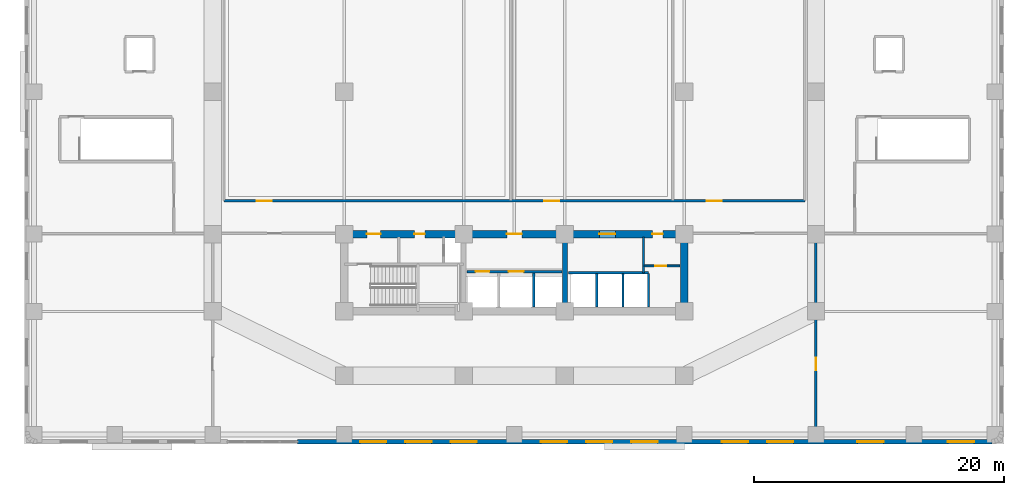
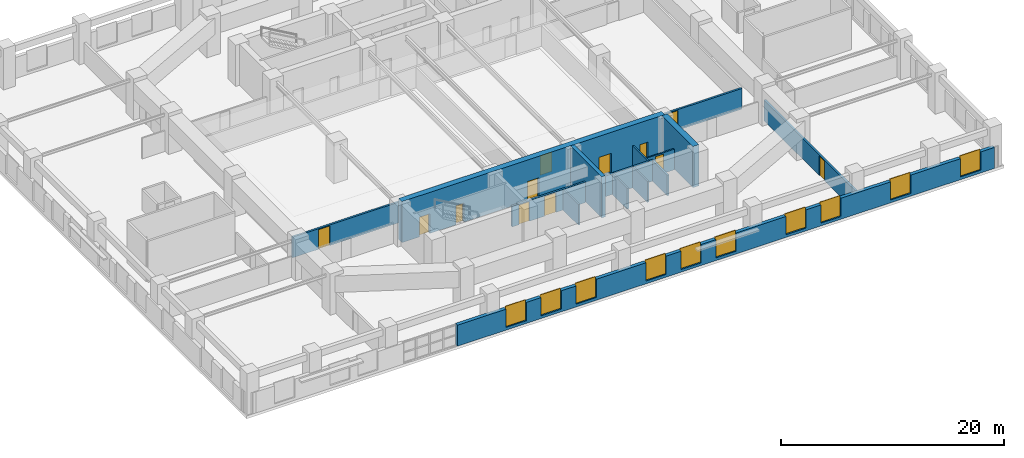
# One storey, part 7 of 13: 14 walls, 12 doors, 10 windows, 22 openings.
"""IFC4 building model written with IfcOpenShell, lengths in metres."""

from ifc_helpers import new_model, si_unit, direction, frame, frame_2d, origin, place, context, subcontext, project, spatial, rectangle, extrude, material, layer, layer_set, type_object, element, fill, save


model = new_model("IFC4")

# Units and contexts
model_context = context("Model", 3, precision=1e-05, world=origin(), true_north=direction((0.0, 1.0)))
body_context = subcontext(model_context, "Body", "Model", "MODEL_VIEW")
ifc_project = project(units=[si_unit("LENGTHUNIT", "METRE"), si_unit("AREAUNIT", "SQUARE_METRE"), si_unit("VOLUMEUNIT", "CUBIC_METRE"), si_unit("PLANEANGLEUNIT", "RADIAN"), si_unit("MASSUNIT", "GRAM", prefix="KILO")], contexts=[model_context])

# Site, building, storey
site_placement = place(None, origin())
site = spatial("IfcSite", under=ifc_project, at=site_placement, CompositionType="ELEMENT")
building_placement = place(site_placement, origin())
building = spatial("IfcBuilding", under=site, at=building_placement, Name="Svetorya Sky Lyceum", CompositionType="ELEMENT")
storey_placement = place(building_placement, frame((0.0, 0.0, 20.10009765625)))
storey = spatial("IfcBuildingStorey", under=building, at=storey_placement, Name="L04", CompositionType="ELEMENT", Elevation=20.10009765625)

# Walls
ifc_material_1 = material(Name="Concrete C40/50", Category="concrete")
ifc_layer_1 = layer(ifc_material_1, 0.39990234375)
ifc_layer_set_1 = layer_set([ifc_layer_1], Name="Concrete C40/50")
wall_type_1 = type_object("IfcWallType", Name="WL-CORE-400", PredefinedType="SHEAR", material=ifc_layer_set_1)
wall_1_placement = place(storey_placement, frame((43.25, 10.89990234375, 0.0), z_axis=(0.0, 0.0, 1.0), x_axis=(0.0, 1.0, 0.0)))
element("IfcWall", 1, at=wall_1_placement, inside=storey, type_object=wall_type_1, Name="L04 SC Internal Shear Web WEB2", PredefinedType="SHEAR", context=body_context, shape_type="SweptSolid", body=[
    extrude(rectangle(XDim=5.60009765625, YDim=0.39990234375, at=frame_2d((2.800048828125, 0.0))), origin(), (0.0, 0.0, 1.0), 4.5),
])
ifc_material_2 = material(Name="Concrete C60/75", Category="concrete")
ifc_layer_2 = layer(ifc_material_2, 0.60009765625)
ifc_layer_set_2 = layer_set([ifc_layer_2], Name="Concrete C60/75")
wall_type_2 = type_object("IfcWallType", Name="WL-CORE-600", PredefinedType="SHEAR", material=ifc_layer_set_2)
wall_2_placement = place(storey_placement, frame((52.800048828125, 10.89990234375, 0.0), z_axis=(0.0, 0.0, 1.0), x_axis=(0.0, 1.0, 0.0)))
element("IfcWall", 2, at=wall_2_placement, inside=storey, type_object=wall_type_2, Name="L04 SC East Core Shear Wall", PredefinedType="SHEAR", context=body_context, shape_type="SweptSolid", body=[
    extrude(rectangle(XDim=5.60009765625, YDim=0.60009765625, at=frame_2d((2.800048828125, 0.0))), origin(), (0.0, 0.0, 1.0), 4.5),
])

# Wall, openings, doors
wall_3_placement = place(storey_placement, frame((25.60009765625, 16.800048828125, 0.0), z_axis=(0.0, 0.0, 1.0), x_axis=(1.0, 0.0, 0.0)))
wall_3 = element("IfcWall", 3, at=wall_3_placement, inside=storey, type_object=wall_type_2, Name="L04 SC Inner Core Shear Wall", PredefinedType="SHEAR", context=body_context, shape_type="SweptSolid", body=[
    extrude(rectangle(XDim=27.199951171875, YDim=0.60009765625, at=frame_2d((13.60009765625, 0.0))), origin(), (0.0, 0.0, 1.0), 4.5),
])
opening_1_placement = place(wall_3_placement, frame((1.800048828125, 0.0, 0.0)))
opening_1 = element("IfcOpeningElement", 4, at=opening_1_placement, cuts=wall_3, Name="Opening D-ST1", PredefinedType="OPENING", context=body_context, shape_type="SweptSolid", body=[
    extrude(rectangle(XDim=1.10009765625, YDim=2.14990234375, at=frame_2d((0.550048828125, 1.074951171875))), frame((0.0, 0.31005859375, 0.0), z_axis=(0.0, -1.0, 0.0), x_axis=(1.0, 0.0, 0.0)), (0.0, 0.0, 1.0), 0.6201171875),
])
opening_2_placement = place(wall_3_placement, frame((5.60009765625, 0.0, 0.0)))
opening_2 = element("IfcOpeningElement", 5, at=opening_2_placement, cuts=wall_3, Name="Opening D-CWC1", PredefinedType="OPENING", context=body_context, shape_type="SweptSolid", body=[
    extrude(rectangle(XDim=0.85009765625, YDim=2.10009765625, at=frame_2d((0.425048828125, 1.050048828125))), frame((0.0, 0.31005859375, 0.0), z_axis=(0.0, -1.0, 0.0), x_axis=(1.0, 0.0, 0.0)), (0.0, 0.0, 1.0), 0.6201171875),
])
opening_3_placement = place(wall_3_placement, frame((13.0, 0.0, 0.0)))
opening_3 = element("IfcOpeningElement", 6, at=opening_3_placement, cuts=wall_3, Name="Opening D-FL1", PredefinedType="OPENING", context=body_context, shape_type="SweptSolid", body=[
    extrude(rectangle(XDim=1.199951171875, YDim=2.14990234375, at=frame_2d((0.60009765625, 1.074951171875))), frame((0.0, 0.31005859375, 0.0), z_axis=(0.0, -1.0, 0.0), x_axis=(1.0, 0.0, 0.0)), (0.0, 0.0, 1.0), 0.6201171875),
])
opening_4_placement = place(wall_3_placement, frame((20.39990234375, 0.0, 0.0)))
opening_4 = element("IfcOpeningElement", 7, at=opening_4_placement, cuts=wall_3, Name="Opening D-LB1", PredefinedType="OPENING", context=body_context, shape_type="SweptSolid", body=[
    extrude(rectangle(XDim=1.300048828125, YDim=2.199951171875, at=frame_2d((0.64990234375, 1.10009765625))), frame((0.0, 0.31005859375, 0.0), z_axis=(0.0, -1.0, 0.0), x_axis=(1.0, 0.0, 0.0)), (0.0, 0.0, 1.0), 0.6201171875),
])
opening_5_placement = place(wall_3_placement, frame((24.64990234375, 0.0, 0.0)))
opening_5 = element("IfcOpeningElement", 8, at=opening_5_placement, cuts=wall_3, Name="Opening D-CWC1", PredefinedType="OPENING", context=body_context, shape_type="SweptSolid", body=[
    extrude(rectangle(XDim=0.85009765625, YDim=2.10009765625, at=frame_2d((0.425048828125, 1.050048828125))), frame((0.0, 0.31005859375, 0.0), z_axis=(0.0, -1.0, 0.0), x_axis=(1.0, 0.0, 0.0)), (0.0, 0.0, 1.0), 0.6201171875),
])
ifc_material_3 = material(Name="Fire-rated galvanized steel core service closet door", Category="steel")
door_type_1 = type_object("IfcDoorType", Name="DR-CWET-850", OperationType="SINGLE_SWING_LEFT", PredefinedType="DOOR", material=ifc_material_3)
door_1_placement = place(opening_2_placement, origin())
door_1 = element("IfcDoor", 9, at=door_1_placement, inside=storey, type_object=door_type_1, Name="L04 South Hydrant Room Door", OperationType="SINGLE_SWING_LEFT", OverallHeight=2.10009765625, OverallWidth=0.85009765625, PredefinedType="DOOR", context=body_context, shape_type="SweptSolid", body=[
    extrude(rectangle(XDim=0.85009765625, YDim=2.10009765625, at=frame_2d((0.425048828125, 1.050048828125))), frame((0.0, 0.02490234375, 0.0), z_axis=(0.0, -1.0, 0.0), x_axis=(1.0, 0.0, 0.0)), (0.0, 0.0, 1.0), 0.050048828125),
])
fill(opening_2, door_1)
door_2_placement = place(opening_5_placement, origin())
door_2 = element("IfcDoor", 10, at=door_2_placement, inside=storey, type_object=door_type_1, Name="L04 South Core Auxiliary Door", OperationType="SINGLE_SWING_LEFT", OverallHeight=2.10009765625, OverallWidth=0.85009765625, PredefinedType="DOOR", context=body_context, shape_type="SweptSolid", body=[
    extrude(rectangle(XDim=0.85009765625, YDim=2.10009765625, at=frame_2d((0.425048828125, 1.050048828125))), frame((0.0, 0.02490234375, 0.0), z_axis=(0.0, -1.0, 0.0), x_axis=(1.0, 0.0, 0.0)), (0.0, 0.0, 1.0), 0.050048828125),
])
fill(opening_5, door_2)
ifc_material_4 = material(Name="Powder-coated insulated galvanized stair fire door")
door_type_2 = type_object("IfcDoorType", Name="DR-FIRE-1100", OperationType="SINGLE_SWING_LEFT", PredefinedType="DOOR", material=ifc_material_4)
door_3_placement = place(opening_1_placement, origin())
door_3 = element("IfcDoor", 11, at=door_3_placement, inside=storey, type_object=door_type_2, Name="L04 South Stair Airlock Door", OperationType="SINGLE_SWING_RIGHT", OverallHeight=2.14990234375, OverallWidth=1.10009765625, PredefinedType="DOOR", context=body_context, shape_type="SweptSolid", body=[
    extrude(rectangle(XDim=1.10009765625, YDim=2.14990234375, at=frame_2d((0.550048828125, 1.074951171875))), frame((0.0, 0.02490234375, 0.0), z_axis=(0.0, -1.0, 0.0), x_axis=(1.0, 0.0, 0.0)), (0.0, 0.0, 1.0), 0.050048828125),
])
fill(opening_1, door_3)
ifc_material_5 = material(Name="Powder-coated insulated galvanized fire door")
door_type_3 = type_object("IfcDoorType", Name="DR-FIRE-1200", OperationType="SINGLE_SWING_LEFT", PredefinedType="DOOR", material=ifc_material_5)
door_4_placement = place(opening_3_placement, origin())
door_4 = element("IfcDoor", 12, at=door_4_placement, inside=storey, type_object=door_type_3, Name="L04 South Firefighting Lift Lobby Door", OperationType="SINGLE_SWING_LEFT", OverallHeight=2.14990234375, OverallWidth=1.199951171875, PredefinedType="DOOR", context=body_context, shape_type="SweptSolid", body=[
    extrude(rectangle(XDim=1.199951171875, YDim=2.14990234375, at=frame_2d((0.60009765625, 1.074951171875))), frame((0.0, 0.02490234375, 0.0), z_axis=(0.0, -1.0, 0.0), x_axis=(1.0, 0.0, 0.0)), (0.0, 0.0, 1.0), 0.050048828125),
])
fill(opening_3, door_4)
ifc_material_6 = material(Name="Glazed fire-rated aluminium lobby door", Category="aluminium")
door_type_4 = type_object("IfcDoorType", Name="DR-LOB-1300", OperationType="SINGLE_SWING_LEFT", PredefinedType="DOOR", material=ifc_material_6)
door_5_placement = place(opening_4_placement, origin())
door_5 = element("IfcDoor", 13, at=door_5_placement, inside=storey, type_object=door_type_4, Name="L04 Low-Rise Lift Lobby Door", OperationType="SINGLE_SWING_RIGHT", OverallHeight=2.199951171875, OverallWidth=1.300048828125, PredefinedType="DOOR", context=body_context, shape_type="SweptSolid", body=[
    extrude(rectangle(XDim=1.300048828125, YDim=2.199951171875, at=frame_2d((0.64990234375, 1.10009765625))), frame((0.0, 0.02490234375, 0.0), z_axis=(0.0, -1.0, 0.0), x_axis=(1.0, 0.0, 0.0)), (0.0, 0.0, 1.0), 0.050048828125),
])
fill(opening_4, door_5)

# Wall, openings, windows
ifc_material_7 = material(Name="Putilovo limestone rainscreen on autoclaved cellular masonry", Category="masonry")
ifc_layer_3 = layer(ifc_material_7, 0.360107421875)
ifc_layer_set_3 = layer_set([ifc_layer_3], Name="Putilovo limestone rainscreen on autoclaved cellular masonry")
wall_type_3 = type_object("IfcWallType", Name="WL-EXT-360", PredefinedType="SOLIDWALL", material=ifc_layer_set_3)
wall_4_placement = place(storey_placement, frame((21.830078125, 0.179931640625, 0.0), z_axis=(0.0, 0.0, 1.0), x_axis=(1.0, 0.0, 0.0)))
wall_4 = element("IfcWall", 14, at=wall_4_placement, inside=storey, type_object=wall_type_3, Name="L04 Limestone Exterior Wall 6B", PredefinedType="SOLIDWALL", context=body_context, shape_type="SweptSolid", body=[
    extrude(rectangle(XDim=55.58984375, YDim=0.360107421875, at=frame_2d((27.794921875, 0.0))), origin(), (0.0, 0.0, 1.0), 2.2998046875),
])
opening_6_placement = place(wall_4_placement, frame((5.029052734375, 0.0, 0.300048828125)))
opening_6 = element("IfcOpeningElement", 15, at=opening_6_placement, cuts=wall_4, Name="Opening W-S3", PredefinedType="OPENING", context=body_context, shape_type="SweptSolid", body=[
    extrude(rectangle(XDim=2.10009765625, YDim=2.199951171875, at=frame_2d((1.050048828125, 1.10009765625))), frame((0.0, 0.18994140625, 0.0), z_axis=(0.0, -1.0, 0.0), x_axis=(1.0, 0.0, 0.0)), (0.0, 0.0, 1.0), 0.380126953125),
])
opening_7_placement = place(wall_4_placement, frame((8.648193359375, 0.0, 0.300048828125)))
opening_7 = element("IfcOpeningElement", 16, at=opening_7_placement, cuts=wall_4, Name="Opening W-S3", PredefinedType="OPENING", context=body_context, shape_type="SweptSolid", body=[
    extrude(rectangle(XDim=2.10009765625, YDim=2.199951171875, at=frame_2d((1.050048828125, 1.10009765625))), frame((0.0, 0.18994140625, 0.0), z_axis=(0.0, -1.0, 0.0), x_axis=(1.0, 0.0, 0.0)), (0.0, 0.0, 1.0), 0.380126953125),
])
opening_8_placement = place(wall_4_placement, frame((12.267578125, 0.0, 0.300048828125)))
opening_8 = element("IfcOpeningElement", 17, at=opening_8_placement, cuts=wall_4, Name="Opening W-S3", PredefinedType="OPENING", context=body_context, shape_type="SweptSolid", body=[
    extrude(rectangle(XDim=2.10009765625, YDim=2.199951171875, at=frame_2d((1.050048828125, 1.10009765625))), frame((0.0, 0.18994140625, 0.0), z_axis=(0.0, -1.0, 0.0), x_axis=(1.0, 0.0, 0.0)), (0.0, 0.0, 1.0), 0.380126953125),
])
opening_9_placement = place(wall_4_placement, frame((19.50634765625, 0.0, 0.300048828125)))
opening_9 = element("IfcOpeningElement", 18, at=opening_9_placement, cuts=wall_4, Name="Opening W-S3", PredefinedType="OPENING", context=body_context, shape_type="SweptSolid", body=[
    extrude(rectangle(XDim=2.10009765625, YDim=2.199951171875, at=frame_2d((1.050048828125, 1.10009765625))), frame((0.0, 0.18994140625, 0.0), z_axis=(0.0, -1.0, 0.0), x_axis=(1.0, 0.0, 0.0)), (0.0, 0.0, 1.0), 0.380126953125),
])
opening_10_placement = place(wall_4_placement, frame((23.125732421875, 0.0, 0.300048828125)))
opening_10 = element("IfcOpeningElement", 19, at=opening_10_placement, cuts=wall_4, Name="Opening W-S3", PredefinedType="OPENING", context=body_context, shape_type="SweptSolid", body=[
    extrude(rectangle(XDim=2.10009765625, YDim=2.199951171875, at=frame_2d((1.050048828125, 1.10009765625))), frame((0.0, 0.18994140625, 0.0), z_axis=(0.0, -1.0, 0.0), x_axis=(1.0, 0.0, 0.0)), (0.0, 0.0, 1.0), 0.380126953125),
])
opening_11_placement = place(wall_4_placement, frame((26.7451171875, 0.0, 0.300048828125)))
opening_11 = element("IfcOpeningElement", 20, at=opening_11_placement, cuts=wall_4, Name="Opening W-S3", PredefinedType="OPENING", context=body_context, shape_type="SweptSolid", body=[
    extrude(rectangle(XDim=2.10009765625, YDim=2.199951171875, at=frame_2d((1.050048828125, 1.10009765625))), frame((0.0, 0.18994140625, 0.0), z_axis=(0.0, -1.0, 0.0), x_axis=(1.0, 0.0, 0.0)), (0.0, 0.0, 1.0), 0.380126953125),
])
opening_12_placement = place(wall_4_placement, frame((33.983642578125, 0.0, 0.300048828125)))
opening_12 = element("IfcOpeningElement", 21, at=opening_12_placement, cuts=wall_4, Name="Opening W-S3", PredefinedType="OPENING", context=body_context, shape_type="SweptSolid", body=[
    extrude(rectangle(XDim=2.10009765625, YDim=2.199951171875, at=frame_2d((1.050048828125, 1.10009765625))), frame((0.0, 0.18994140625, 0.0), z_axis=(0.0, -1.0, 0.0), x_axis=(1.0, 0.0, 0.0)), (0.0, 0.0, 1.0), 0.380126953125),
])
opening_13_placement = place(wall_4_placement, frame((37.60302734375, 0.0, 0.300048828125)))
opening_13 = element("IfcOpeningElement", 22, at=opening_13_placement, cuts=wall_4, Name="Opening W-S3", PredefinedType="OPENING", context=body_context, shape_type="SweptSolid", body=[
    extrude(rectangle(XDim=2.10009765625, YDim=2.199951171875, at=frame_2d((1.050048828125, 1.10009765625))), frame((0.0, 0.18994140625, 0.0), z_axis=(0.0, -1.0, 0.0), x_axis=(1.0, 0.0, 0.0)), (0.0, 0.0, 1.0), 0.380126953125),
])
opening_14_placement = place(wall_4_placement, frame((44.841796875, 0.0, 0.300048828125)))
opening_14 = element("IfcOpeningElement", 23, at=opening_14_placement, cuts=wall_4, Name="Opening W-S3", PredefinedType="OPENING", context=body_context, shape_type="SweptSolid", body=[
    extrude(rectangle(XDim=2.10009765625, YDim=2.199951171875, at=frame_2d((1.050048828125, 1.10009765625))), frame((0.0, 0.18994140625, 0.0), z_axis=(0.0, -1.0, 0.0), x_axis=(1.0, 0.0, 0.0)), (0.0, 0.0, 1.0), 0.380126953125),
])
opening_15_placement = place(wall_4_placement, frame((52.080322265625, 0.0, 0.300048828125)))
opening_15 = element("IfcOpeningElement", 24, at=opening_15_placement, cuts=wall_4, Name="Opening W-S3", PredefinedType="OPENING", context=body_context, shape_type="SweptSolid", body=[
    extrude(rectangle(XDim=2.10009765625, YDim=2.199951171875, at=frame_2d((1.050048828125, 1.10009765625))), frame((0.0, 0.18994140625, 0.0), z_axis=(0.0, -1.0, 0.0), x_axis=(1.0, 0.0, 0.0)), (0.0, 0.0, 1.0), 0.380126953125),
])
ifc_material_8 = material(Name="Thermally broken aluminium frame with triple low-E glazing", Category="aluminium")
window_type = type_object("IfcWindowType", Name="WN-SCH-210", PartitioningType="TRIPLE_PANEL_VERTICAL", PredefinedType="WINDOW", material=ifc_material_8)
window_1_placement = place(opening_6_placement, origin())
window_1 = element("IfcWindow", 25, at=window_1_placement, inside=storey, type_object=window_type, Name="L04 Facade Window W-S3.6B.1", OverallHeight=2.199951171875, OverallWidth=2.10009765625, PartitioningType="SINGLE_PANEL", PredefinedType="WINDOW", context=body_context, shape_type="SweptSolid", body=[
    extrude(rectangle(XDim=2.10009765625, YDim=2.199951171875, at=frame_2d((1.050048828125, 1.10009765625))), frame((0.0, 0.030029296875, 0.0), z_axis=(0.0, -1.0, 0.0), x_axis=(1.0, 0.0, 0.0)), (0.0, 0.0, 1.0), 0.06005859375),
])
fill(opening_6, window_1)
window_2_placement = place(opening_7_placement, origin())
window_2 = element("IfcWindow", 26, at=window_2_placement, inside=storey, type_object=window_type, Name="L04 Facade Window W-S3.6B.2", OverallHeight=2.199951171875, OverallWidth=2.10009765625, PartitioningType="SINGLE_PANEL", PredefinedType="WINDOW", context=body_context, shape_type="SweptSolid", body=[
    extrude(rectangle(XDim=2.10009765625, YDim=2.199951171875, at=frame_2d((1.050048828125, 1.10009765625))), frame((0.0, 0.030029296875, 0.0), z_axis=(0.0, -1.0, 0.0), x_axis=(1.0, 0.0, 0.0)), (0.0, 0.0, 1.0), 0.06005859375),
])
fill(opening_7, window_2)
window_3_placement = place(opening_8_placement, origin())
window_3 = element("IfcWindow", 27, at=window_3_placement, inside=storey, type_object=window_type, Name="L04 Facade Window W-S3.6B.3", OverallHeight=2.199951171875, OverallWidth=2.10009765625, PartitioningType="SINGLE_PANEL", PredefinedType="WINDOW", context=body_context, shape_type="SweptSolid", body=[
    extrude(rectangle(XDim=2.10009765625, YDim=2.199951171875, at=frame_2d((1.050048828125, 1.10009765625))), frame((0.0, 0.030029296875, 0.0), z_axis=(0.0, -1.0, 0.0), x_axis=(1.0, 0.0, 0.0)), (0.0, 0.0, 1.0), 0.06005859375),
])
fill(opening_8, window_3)
window_4_placement = place(opening_9_placement, origin())
window_4 = element("IfcWindow", 28, at=window_4_placement, inside=storey, type_object=window_type, Name="L04 Facade Window W-S3.6B.4", OverallHeight=2.199951171875, OverallWidth=2.10009765625, PartitioningType="SINGLE_PANEL", PredefinedType="WINDOW", context=body_context, shape_type="SweptSolid", body=[
    extrude(rectangle(XDim=2.10009765625, YDim=2.199951171875, at=frame_2d((1.050048828125, 1.10009765625))), frame((0.0, 0.030029296875, 0.0), z_axis=(0.0, -1.0, 0.0), x_axis=(1.0, 0.0, 0.0)), (0.0, 0.0, 1.0), 0.06005859375),
])
fill(opening_9, window_4)
window_5_placement = place(opening_10_placement, origin())
window_5 = element("IfcWindow", 29, at=window_5_placement, inside=storey, type_object=window_type, Name="L04 Facade Window W-S3.6B.5", OverallHeight=2.199951171875, OverallWidth=2.10009765625, PartitioningType="SINGLE_PANEL", PredefinedType="WINDOW", context=body_context, shape_type="SweptSolid", body=[
    extrude(rectangle(XDim=2.10009765625, YDim=2.199951171875, at=frame_2d((1.050048828125, 1.10009765625))), frame((0.0, 0.030029296875, 0.0), z_axis=(0.0, -1.0, 0.0), x_axis=(1.0, 0.0, 0.0)), (0.0, 0.0, 1.0), 0.06005859375),
])
fill(opening_10, window_5)
window_6_placement = place(opening_11_placement, origin())
window_6 = element("IfcWindow", 30, at=window_6_placement, inside=storey, type_object=window_type, Name="L04 Facade Window W-S3.6B.6", OverallHeight=2.199951171875, OverallWidth=2.10009765625, PartitioningType="SINGLE_PANEL", PredefinedType="WINDOW", context=body_context, shape_type="SweptSolid", body=[
    extrude(rectangle(XDim=2.10009765625, YDim=2.199951171875, at=frame_2d((1.050048828125, 1.10009765625))), frame((0.0, 0.030029296875, 0.0), z_axis=(0.0, -1.0, 0.0), x_axis=(1.0, 0.0, 0.0)), (0.0, 0.0, 1.0), 0.06005859375),
])
fill(opening_11, window_6)
window_7_placement = place(opening_12_placement, origin())
window_7 = element("IfcWindow", 31, at=window_7_placement, inside=storey, type_object=window_type, Name="L04 Facade Window W-S3.6B.7", OverallHeight=2.199951171875, OverallWidth=2.10009765625, PartitioningType="SINGLE_PANEL", PredefinedType="WINDOW", context=body_context, shape_type="SweptSolid", body=[
    extrude(rectangle(XDim=2.10009765625, YDim=2.199951171875, at=frame_2d((1.050048828125, 1.10009765625))), frame((0.0, 0.030029296875, 0.0), z_axis=(0.0, -1.0, 0.0), x_axis=(1.0, 0.0, 0.0)), (0.0, 0.0, 1.0), 0.06005859375),
])
fill(opening_12, window_7)
window_8_placement = place(opening_13_placement, origin())
window_8 = element("IfcWindow", 32, at=window_8_placement, inside=storey, type_object=window_type, Name="L04 Facade Window W-S3.6B.8", OverallHeight=2.199951171875, OverallWidth=2.10009765625, PartitioningType="SINGLE_PANEL", PredefinedType="WINDOW", context=body_context, shape_type="SweptSolid", body=[
    extrude(rectangle(XDim=2.10009765625, YDim=2.199951171875, at=frame_2d((1.050048828125, 1.10009765625))), frame((0.0, 0.030029296875, 0.0), z_axis=(0.0, -1.0, 0.0), x_axis=(1.0, 0.0, 0.0)), (0.0, 0.0, 1.0), 0.06005859375),
])
fill(opening_13, window_8)
window_9_placement = place(opening_14_placement, origin())
window_9 = element("IfcWindow", 33, at=window_9_placement, inside=storey, type_object=window_type, Name="L04 Facade Window W-S3.6B.9", OverallHeight=2.199951171875, OverallWidth=2.10009765625, PartitioningType="SINGLE_PANEL", PredefinedType="WINDOW", context=body_context, shape_type="SweptSolid", body=[
    extrude(rectangle(XDim=2.10009765625, YDim=2.199951171875, at=frame_2d((1.050048828125, 1.10009765625))), frame((0.0, 0.030029296875, 0.0), z_axis=(0.0, -1.0, 0.0), x_axis=(1.0, 0.0, 0.0)), (0.0, 0.0, 1.0), 0.06005859375),
])
fill(opening_14, window_9)
window_10_placement = place(opening_15_placement, origin())
window_10 = element("IfcWindow", 34, at=window_10_placement, inside=storey, type_object=window_type, Name="L04 Facade Window W-S3.6B.10", OverallHeight=2.199951171875, OverallWidth=2.10009765625, PartitioningType="SINGLE_PANEL", PredefinedType="WINDOW", context=body_context, shape_type="SweptSolid", body=[
    extrude(rectangle(XDim=2.10009765625, YDim=2.199951171875, at=frame_2d((1.050048828125, 1.10009765625))), frame((0.0, 0.030029296875, 0.0), z_axis=(0.0, -1.0, 0.0), x_axis=(1.0, 0.0, 0.0)), (0.0, 0.0, 1.0), 0.06005859375),
])
fill(opening_15, window_10)

# Wall, opening, door
ifc_material_9 = material(Name="Autoclaved cellular masonry blockwork with acoustic render", Category="masonry")
ifc_layer_4 = layer(ifc_material_9, 0.14990234375)
ifc_layer_set_4 = layer_set([ifc_layer_4], Name="Autoclaved cellular masonry blockwork with acoustic render")
wall_type_4 = type_object("IfcWallType", Name="WL-PART-150", PredefinedType="PARTITIONING", material=ifc_layer_set_4)
wall_5_placement = place(storey_placement, frame((49.60009765625, 14.25, 0.0), z_axis=(0.0, 0.0, 1.0), x_axis=(1.0, 0.0, 0.0)))
wall_5 = element("IfcWall", 35, at=wall_5_placement, inside=storey, type_object=wall_type_4, Name="L04 Interior Partition SC-AUX-H2", PredefinedType="PARTITIONING", context=body_context, shape_type="SweptSolid", body=[
    extrude(rectangle(XDim=2.849853515625, YDim=0.14990234375, at=frame_2d((1.4248046875, 0.0))), origin(), (0.0, 0.0, 1.0), 2.260009765625),
])
opening_16_placement = place(wall_5_placement, frame((0.89990234375, 0.0, 0.0)))
opening_16 = element("IfcOpeningElement", 36, at=opening_16_placement, cuts=wall_5, Name="Opening D-CWC1", PredefinedType="OPENING", context=body_context, shape_type="SweptSolid", body=[
    extrude(rectangle(XDim=0.85009765625, YDim=2.10009765625, at=frame_2d((0.425048828125, 1.050048828125))), frame((0.0, 0.0849609375, 0.0), z_axis=(0.0, -1.0, 0.0), x_axis=(1.0, 0.0, 0.0)), (0.0, 0.0, 1.0), 0.169921875),
])
door_6_placement = place(opening_16_placement, origin())
door_6 = element("IfcDoor", 37, at=door_6_placement, inside=storey, type_object=door_type_1, Name="L04 South Telecom Room Door", OperationType="SINGLE_SWING_RIGHT", OverallHeight=2.10009765625, OverallWidth=0.85009765625, PredefinedType="DOOR", context=body_context, shape_type="SweptSolid", body=[
    extrude(rectangle(XDim=0.85009765625, YDim=2.10009765625, at=frame_2d((0.425048828125, 1.050048828125))), frame((0.0, 0.02490234375, 0.0), z_axis=(0.0, -1.0, 0.0), x_axis=(1.0, 0.0, 0.0)), (0.0, 0.0, 1.0), 0.050048828125),
])
fill(opening_16, door_6)

# Walls
ifc_material_10 = material(Name="Autoclaved cellular masonry blockwork with fire render", Category="masonry")
ifc_layer_5 = layer(ifc_material_10, 0.175048828125)
ifc_layer_set_5 = layer_set([ifc_layer_5], Name="Autoclaved cellular masonry blockwork with fire render")
wall_type_5 = type_object("IfcWallType", Name="WL-PART-175", PredefinedType="PARTITIONING", material=ifc_layer_set_5)
wall_6_placement = place(storey_placement, frame((40.75, 10.949951171875, 0.0), z_axis=(0.0, 0.0, 1.0), x_axis=(0.0, 1.0, 0.0)))
element("IfcWall", 38, at=wall_6_placement, inside=storey, type_object=wall_type_5, Name="L04 Interior Partition SC-SHD2", PredefinedType="PARTITIONING", context=body_context, shape_type="SweptSolid", body=[
    extrude(rectangle(XDim=2.75, YDim=0.175048828125, at=frame_2d((1.375, 0.0))), origin(), (0.0, 0.0, 1.0), 2.260009765625),
])
for number, where, z_axis, x_axis, name in (
    (39, (45.800048828125, 10.949951171875, 0.0), (0.0, 0.0, 1.0), (0.0, 1.0, 0.0), "L04 Interior Partition SC-PL-DIV1"),
    (40, (47.89990234375, 10.949951171875, 0.0), (0.0, 0.0, 1.0), (0.0, 1.0, 0.0), "L04 Interior Partition SC-PL-DIV2"),
    (41, (49.949951171875, 10.949951171875, 0.0), (0.0, 0.0, 1.0), (0.0, 1.0, 0.0), "L04 Interior Partition SC-PL-END"),
):
    element("IfcWall", number, at=place(storey_placement, frame(where, z_axis=z_axis, x_axis=x_axis)), inside=storey, type_object=wall_type_5, Name=name, PredefinedType="PARTITIONING", context=body_context, shape_type="SweptSolid", body=[
        extrude(rectangle(XDim=2.699951171875, YDim=0.175048828125, at=frame_2d((1.35009765625, 0.0))), origin(), (0.0, 0.0, 1.0), 2.260009765625),
    ])
wall_7_placement = place(storey_placement, frame((49.550048828125, 13.699951171875, 0.0), z_axis=(0.0, 0.0, 1.0), x_axis=(0.0, 1.0, 0.0)))
element("IfcWall", 42, at=wall_7_placement, inside=storey, type_object=wall_type_5, Name="L04 Interior Partition SC-AUX-V", PredefinedType="PARTITIONING", context=body_context, shape_type="SweptSolid", body=[
    extrude(rectangle(XDim=2.880126953125, YDim=0.175048828125, at=frame_2d((1.43994140625, 0.0))), origin(), (0.0, 0.0, 1.0), 2.260009765625),
])

# Wall, openings, doors
ifc_material_11 = material(Name="Autoclaved cellular masonry blockwork with gypsum plaster", Category="masonry")
ifc_layer_6 = layer(ifc_material_11, 0.199951171875)
ifc_layer_set_6 = layer_set([ifc_layer_6], Name="Autoclaved cellular masonry blockwork with gypsum plaster")
wall_type_6 = type_object("IfcWallType", Name="WL-PART-200", PredefinedType="PARTITIONING", material=ifc_layer_set_6)
wall_8_placement = place(storey_placement, frame((35.39990234375, 13.800048828125, 0.0), z_axis=(0.0, 0.0, 1.0), x_axis=(1.0, 0.0, 0.0)))
wall_8 = element("IfcWall", 43, at=wall_8_placement, inside=storey, type_object=wall_type_6, Name="L04 Interior Partition SC-FLW", PredefinedType="PARTITIONING", context=body_context, shape_type="SweptSolid", body=[
    extrude(rectangle(XDim=7.60009765625, YDim=0.199951171875, at=frame_2d((3.800048828125, 0.0))), origin(), (0.0, 0.0, 1.0), 2.260009765625),
])
opening_17_placement = place(wall_8_placement, frame((0.699951171875, 0.0, 0.0)))
opening_17 = element("IfcOpeningElement", 44, at=opening_17_placement, cuts=wall_8, Name="Opening LD-FL", PredefinedType="OPENING", context=body_context, shape_type="SweptSolid", body=[
    extrude(rectangle(XDim=1.10009765625, YDim=2.14990234375, at=frame_2d((0.550048828125, 1.074951171875))), frame((0.0, 0.10986328125, 0.0), z_axis=(0.0, -1.0, 0.0), x_axis=(1.0, 0.0, 0.0)), (0.0, 0.0, 1.0), 0.219970703125),
])
opening_18_placement = place(wall_8_placement, frame((3.35009765625, 0.0, 0.0)))
opening_18 = element("IfcOpeningElement", 45, at=opening_18_placement, cuts=wall_8, Name="Opening LD-SV", PredefinedType="OPENING", context=body_context, shape_type="SweptSolid", body=[
    extrude(rectangle(XDim=1.199951171875, YDim=2.14990234375, at=frame_2d((0.60009765625, 1.074951171875))), frame((0.0, 0.10986328125, 0.0), z_axis=(0.0, -1.0, 0.0), x_axis=(1.0, 0.0, 0.0)), (0.0, 0.0, 1.0), 0.219970703125),
])
ifc_material_12 = material(Name="Fire-rated stainless AISI 304 firefighting lift landing door")
door_type_5 = type_object("IfcDoorType", Name="DR-LIFT-1100", OperationType="SLIDING_TO_LEFT", PredefinedType="DOOR", material=ifc_material_12)
door_7_placement = place(opening_17_placement, origin())
door_7 = element("IfcDoor", 46, at=door_7_placement, inside=storey, type_object=door_type_5, Name="L04 Firefighting Lift FL2 Landing Door", OperationType="SLIDING_TO_LEFT", OverallHeight=2.14990234375, OverallWidth=1.10009765625, PredefinedType="DOOR", context=body_context, shape_type="SweptSolid", body=[
    extrude(rectangle(XDim=1.10009765625, YDim=2.14990234375, at=frame_2d((0.550048828125, 1.074951171875))), frame((0.0, 0.02490234375, 0.0), z_axis=(0.0, -1.0, 0.0), x_axis=(1.0, 0.0, 0.0)), (0.0, 0.0, 1.0), 0.050048828125),
])
fill(opening_17, door_7)
ifc_material_13 = material(Name="Brushed stainless AISI 304 telescopic lift landing door")
door_type_6 = type_object("IfcDoorType", Name="DR-LIFT-1200", OperationType="SLIDING_TO_LEFT", PredefinedType="DOOR", material=ifc_material_13)
door_8_placement = place(opening_18_placement, origin())
door_8 = element("IfcDoor", 47, at=door_8_placement, inside=storey, type_object=door_type_6, Name="L04 Service Lift SVL1 Landing Door", OperationType="SLIDING_TO_LEFT", OverallHeight=2.14990234375, OverallWidth=1.199951171875, PredefinedType="DOOR", context=body_context, shape_type="SweptSolid", body=[
    extrude(rectangle(XDim=1.199951171875, YDim=2.14990234375, at=frame_2d((0.60009765625, 1.074951171875))), frame((0.0, 0.02490234375, 0.0), z_axis=(0.0, -1.0, 0.0), x_axis=(1.0, 0.0, 0.0)), (0.0, 0.0, 1.0), 0.050048828125),
])
fill(opening_18, door_8)

# Wall
wall_9_placement = place(storey_placement, frame((43.550048828125, 13.699951171875, 0.0), z_axis=(0.0, 0.0, 1.0), x_axis=(1.0, 0.0, 0.0)))
element("IfcWall", 48, at=wall_9_placement, inside=storey, type_object=wall_type_6, Name="L04 Interior Partition SC-PLW", PredefinedType="PARTITIONING", context=body_context, shape_type="SweptSolid", body=[
    extrude(rectangle(XDim=6.39990234375, YDim=0.199951171875, at=frame_2d((3.199951171875, 0.0))), origin(), (0.0, 0.0, 1.0), 2.260009765625),
])

# Wall, openings, doors
wall_10_placement = place(storey_placement, frame((15.949951171875, 19.449951171875, 0.0), z_axis=(0.0, 0.0, 1.0), x_axis=(1.0, 0.0, 0.0)))
wall_10 = element("IfcWall", 49, at=wall_10_placement, inside=storey, type_object=wall_type_6, Name="L04 Interior Partition CEN-S", PredefinedType="PARTITIONING", context=body_context, shape_type="SweptSolid", body=[
    extrude(rectangle(XDim=46.5, YDim=0.199951171875, at=frame_2d((23.25, 0.0))), origin(), (0.0, 0.0, 1.0), 2.260009765625),
])
opening_19_placement = place(wall_10_placement, frame((2.64990234375, 0.0, 0.0)))
opening_19 = element("IfcOpeningElement", 50, at=opening_19_placement, cuts=wall_10, Name="Opening D-SC1", PredefinedType="OPENING", context=body_context, shape_type="SweptSolid", body=[
    extrude(rectangle(XDim=1.199951171875, YDim=2.14990234375, at=frame_2d((0.60009765625, 1.074951171875))), frame((0.0, 0.10986328125, 0.0), z_axis=(0.0, -1.0, 0.0), x_axis=(1.0, 0.0, 0.0)), (0.0, 0.0, 1.0), 0.219970703125),
])
opening_20_placement = place(wall_10_placement, frame((25.64990234375, 0.0, 0.0)))
opening_20 = element("IfcOpeningElement", 51, at=opening_20_placement, cuts=wall_10, Name="Opening D-SC1", PredefinedType="OPENING", context=body_context, shape_type="SweptSolid", body=[
    extrude(rectangle(XDim=1.199951171875, YDim=2.14990234375, at=frame_2d((0.60009765625, 1.074951171875))), frame((0.0, 0.10986328125, 0.0), z_axis=(0.0, -1.0, 0.0), x_axis=(1.0, 0.0, 0.0)), (0.0, 0.0, 1.0), 0.219970703125),
])
opening_21_placement = place(wall_10_placement, frame((38.64990234375, 0.0, 0.0)))
opening_21 = element("IfcOpeningElement", 52, at=opening_21_placement, cuts=wall_10, Name="Opening D-SC1", PredefinedType="OPENING", context=body_context, shape_type="SweptSolid", body=[
    extrude(rectangle(XDim=1.199951171875, YDim=2.14990234375, at=frame_2d((0.60009765625, 1.074951171875))), frame((0.0, 0.10986328125, 0.0), z_axis=(0.0, -1.0, 0.0), x_axis=(1.0, 0.0, 0.0)), (0.0, 0.0, 1.0), 0.219970703125),
])
ifc_material_14 = material(Name="Acoustic solid-core birch classroom door")
door_type_7 = type_object("IfcDoorType", Name="DR-SCH-1200", OperationType="SINGLE_SWING_LEFT", PredefinedType="DOOR", material=ifc_material_14)
door_9_placement = place(opening_19_placement, origin())
door_9 = element("IfcDoor", 53, at=door_9_placement, inside=storey, type_object=door_type_7, Name="L04 Library and Reading Hall South Door", OperationType="SINGLE_SWING_LEFT", OverallHeight=2.14990234375, OverallWidth=1.199951171875, PredefinedType="DOOR", context=body_context, shape_type="SweptSolid", body=[
    extrude(rectangle(XDim=1.199951171875, YDim=2.14990234375, at=frame_2d((0.60009765625, 1.074951171875))), frame((0.0, 0.02490234375, 0.0), z_axis=(0.0, -1.0, 0.0), x_axis=(1.0, 0.0, 0.0)), (0.0, 0.0, 1.0), 0.050048828125),
])
fill(opening_19, door_9)
door_10_placement = place(opening_20_placement, origin())
door_10 = element("IfcDoor", 54, at=door_10_placement, inside=storey, type_object=door_type_7, Name="L04 Workshop Astronomy Media South Door", OperationType="SINGLE_SWING_RIGHT", OverallHeight=2.14990234375, OverallWidth=1.199951171875, PredefinedType="DOOR", context=body_context, shape_type="SweptSolid", body=[
    extrude(rectangle(XDim=1.199951171875, YDim=2.14990234375, at=frame_2d((0.60009765625, 1.074951171875))), frame((0.0, 0.02490234375, 0.0), z_axis=(0.0, -1.0, 0.0), x_axis=(1.0, 0.0, 0.0)), (0.0, 0.0, 1.0), 0.050048828125),
])
fill(opening_20, door_10)
door_11_placement = place(opening_21_placement, origin())
door_11 = element("IfcDoor", 55, at=door_11_placement, inside=storey, type_object=door_type_7, Name="L04 Mechanical Plant Room Lyceum AHU South Door", OperationType="SINGLE_SWING_LEFT", OverallHeight=2.14990234375, OverallWidth=1.199951171875, PredefinedType="DOOR", context=body_context, shape_type="SweptSolid", body=[
    extrude(rectangle(XDim=1.199951171875, YDim=2.14990234375, at=frame_2d((0.60009765625, 1.074951171875))), frame((0.0, 0.02490234375, 0.0), z_axis=(0.0, -1.0, 0.0), x_axis=(1.0, 0.0, 0.0)), (0.0, 0.0, 1.0), 0.050048828125),
])
fill(opening_21, door_11)

# Wall, opening, door
wall_11_placement = place(storey_placement, frame((63.35009765625, 0.39990234375, 0.0), z_axis=(0.0, 0.0, 1.0), x_axis=(0.0, 1.0, 0.0)))
wall_11 = element("IfcWall", 56, at=wall_11_placement, inside=storey, type_object=wall_type_6, Name="L04 Interior Partition SE-DIV", PredefinedType="PARTITIONING", context=body_context, shape_type="SweptSolid", body=[
    extrude(rectangle(XDim=16.400146484375, YDim=0.199951171875, at=frame_2d((8.2001953125, 0.0))), origin(), (0.0, 0.0, 1.0), 2.260009765625),
])
opening_22_placement = place(wall_11_placement, frame((5.5, 0.0, 0.0)))
opening_22 = element("IfcOpeningElement", 57, at=opening_22_placement, cuts=wall_11, Name="Opening D-RM2", PredefinedType="OPENING", context=body_context, shape_type="SweptSolid", body=[
    extrude(rectangle(XDim=1.0, YDim=2.14990234375, at=frame_2d((0.5, 1.074951171875))), frame((0.0, 0.10986328125, 0.0), z_axis=(0.0, -1.0, 0.0), x_axis=(1.0, 0.0, 0.0)), (0.0, 0.0, 1.0), 0.219970703125),
])
ifc_material_15 = material(Name="Solid-core oak acoustic room door")
door_type_8 = type_object("IfcDoorType", Name="DR-INT-1000", OperationType="SINGLE_SWING_LEFT", PredefinedType="DOOR", material=ifc_material_15)
door_12_placement = place(opening_22_placement, origin())
door_12 = element("IfcDoor", 58, at=door_12_placement, inside=storey, type_object=door_type_8, Name="L04 Classroom SE2 Door", OperationType="SINGLE_SWING_LEFT", OverallHeight=2.14990234375, OverallWidth=1.0, PredefinedType="DOOR", context=body_context, shape_type="SweptSolid", body=[
    extrude(rectangle(XDim=1.0, YDim=2.14990234375, at=frame_2d((0.5, 1.074951171875))), frame((0.0, 0.02490234375, 0.0), z_axis=(0.0, -1.0, 0.0), x_axis=(1.0, 0.0, 0.0)), (0.0, 0.0, 1.0), 0.050048828125),
])
fill(opening_22, door_12)

save(model, "model.ifc")
